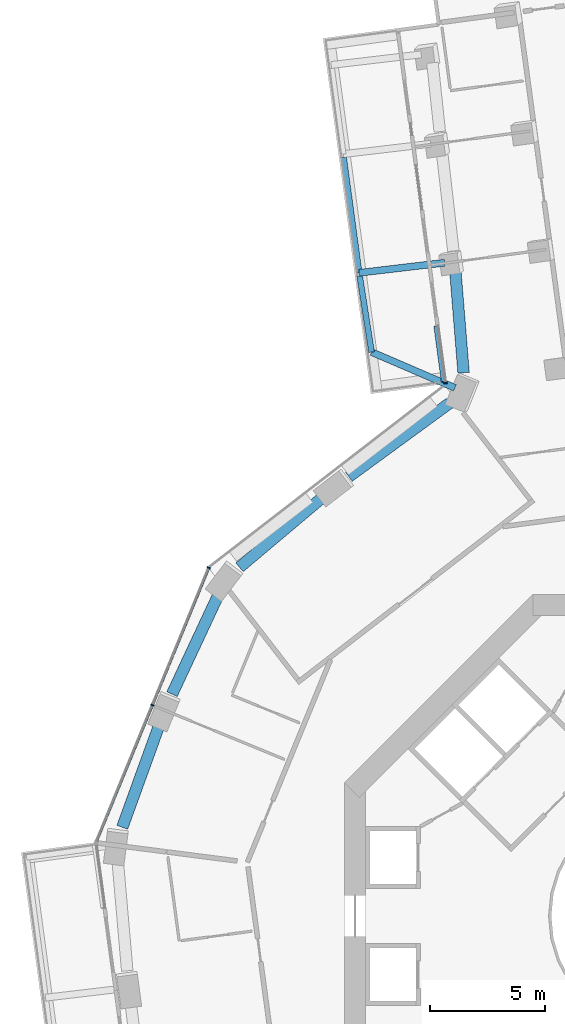
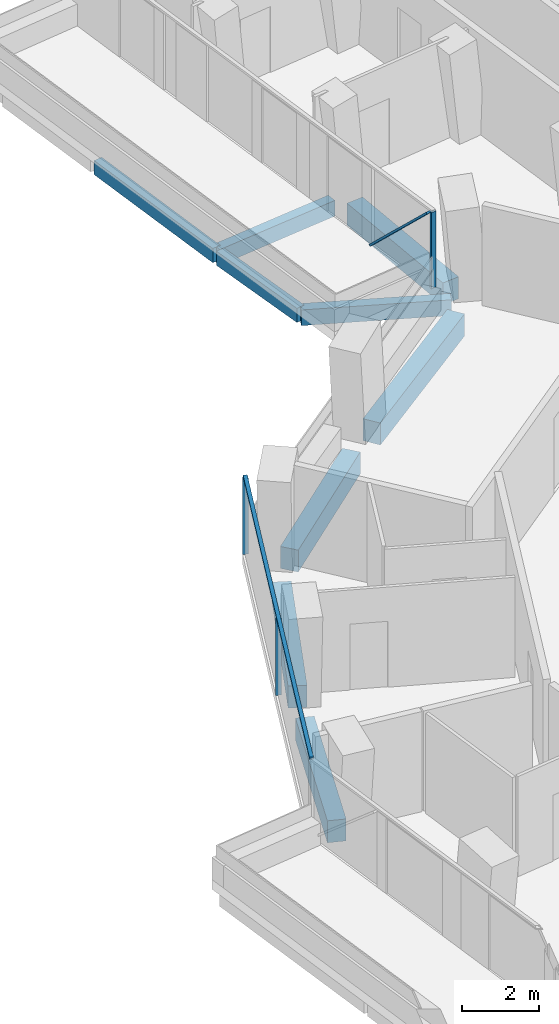
# One storey, part 7 of 27: 9 beams, 5 members, 2 elements without a shape of their own.
"""IFC4 building model written with IfcOpenShell, lengths in metres."""

import ifcopenshell
import ifcopenshell.guid

model = None  # the IFC model being written
_history = None  # IfcOwnerHistory: only IFC2X3 demands one
_inside = {}  # id of a spatial element -> (the spatial element, [elements in it])
_under = {}  # id of a project, library or spatial element -> (it, [spatial elements below it])
_declared = {}  # id of a project -> (the project, [libraries it declares])
_typed = {}  # id of a type object -> (the type object, [elements of that type])
_made_of = {}  # id of a material, layer set ... -> (it, [elements and type objects made of it])


def new_model(schema):
    """Start an empty IFC model of exactly this schema.

    Asked for "IFC4X3", IfcOpenShell would pick the latest addendum, in which some entities
    have other attributes; the version numbers below select the first issue.
    IFC2X3 requires an IfcOwnerHistory on every rooted entity: one is made here for all.
    """
    global model, _history
    if schema == "IFC4X3":
        model = ifcopenshell.file(schema_version=(4, 3, 0, 0))
    else:
        model = ifcopenshell.file(schema=schema)
    _inside.clear()
    _under.clear()
    _declared.clear()
    _typed.clear()
    _made_of.clear()
    _history = None
    if model.schema == "IFC2X3":
        org = make("IfcOrganization", Name="unknown")
        user = make(
            "IfcPersonAndOrganization",
            ThePerson=make("IfcPerson", FamilyName="unknown"),
            TheOrganization=org,
        )
        app = make(
            "IfcApplication",
            ApplicationDeveloper=org,
            Version="unknown",
            ApplicationFullName="unknown",
            ApplicationIdentifier="unknown",
        )
        _history = make(
            "IfcOwnerHistory",
            OwningUser=user,
            OwningApplication=app,
            ChangeAction="ADDED",
            CreationDate=0,
        )
    return model


def make(cls, **values):
    """One entity of the class cls with the attributes given. An attribute that is None is left unset."""
    return model.create_entity(
        cls, **{name: value for name, value in values.items() if value is not None}
    )


def rooted(cls, **values):
    """An entity with a GlobalId (a new one), such as an element, a storey or a relation."""
    return make(cls, GlobalId=ifcopenshell.guid.new(), OwnerHistory=_history, **values)


def si_unit(unit_type, name, prefix=None):
    """IfcSIUnit, for example si_unit("LENGTHUNIT", "METRE", prefix="MILLI")."""
    return make("IfcSIUnit", UnitType=unit_type, Prefix=prefix, Name=name)


def assignment(units):
    """IfcUnitAssignment: the units of a project."""
    return None if units is None else make("IfcUnitAssignment", Units=units)


def point(xyz):
    """IfcCartesianPoint."""
    return None if xyz is None else make("IfcCartesianPoint", Coordinates=xyz)


def direction(xyz):
    """IfcDirection."""
    return None if xyz is None else make("IfcDirection", DirectionRatios=xyz)


def frame(location, z_axis=None, x_axis=None):
    """IfcAxis2Placement3D, a coordinate frame: its origin and axes. An axis left out is left unset."""
    return make(
        "IfcAxis2Placement3D",
        Location=point(location),
        Axis=direction(z_axis),
        RefDirection=direction(x_axis),
    )


def frame_2d(location, x_axis=None):
    """IfcAxis2Placement2D, a coordinate frame in the plane: its origin and x axis."""
    return make(
        "IfcAxis2Placement2D", Location=point(location), RefDirection=direction(x_axis)
    )


def origin():
    """The frame at (0, 0, 0) with its axes left unset."""
    return frame((0.0, 0.0, 0.0))


def origin_2d():
    """The frame at (0, 0) in the plane with its x axis left unset."""
    return frame_2d((0.0, 0.0))


def place(relative_to, where):
    """IfcLocalPlacement: puts the frame where relative to a parent placement (None: the world)."""
    return make(
        "IfcLocalPlacement", PlacementRelTo=relative_to, RelativePlacement=where
    )


def context(
    kind, dimensions, precision=None, world=None, true_north=None, identifier=None
):
    """IfcGeometricRepresentationContext, for example the 3D "Model" context."""
    return make(
        "IfcGeometricRepresentationContext",
        ContextIdentifier=identifier,
        ContextType=kind,
        CoordinateSpaceDimension=dimensions,
        Precision=precision,
        WorldCoordinateSystem=world,
        TrueNorth=true_north,
    )


def subcontext(parent, identifier, kind, view, scale=None):
    """IfcGeometricRepresentationSubContext, for example "Body" below "Model"."""
    return make(
        "IfcGeometricRepresentationSubContext",
        ContextIdentifier=identifier,
        ContextType=kind,
        ParentContext=parent,
        TargetScale=scale,
        TargetView=view,
    )


def project(units=None, contexts=None):
    """IfcProject with its units and contexts."""
    return rooted(
        "IfcProject",
        Name="project",
        RepresentationContexts=contexts,
        UnitsInContext=assignment(units),
    )


def spatial(cls, under=None, at=None, **own):
    """A site, building, storey or space (cls), placed at a placement, below another one or the project."""
    s = rooted(cls, ObjectPlacement=at, **own)
    if under is not None:
        _under.setdefault(under.id(), (under, []))[1].append(s)
    return s


def profile(cls, at=None, kind="AREA", **sizes):
    """A parametric profile (cls). Its sizes go by their IFC names, for example OverallWidth=200.0."""
    return make(cls, ProfileType=kind, Position=at, **sizes)


def rectangle(**sizes):
    """IfcRectangleProfileDef."""
    return profile("IfcRectangleProfileDef", **sizes)


def extrude(swept, where, along, depth):
    """IfcExtrudedAreaSolid: the profile swept, set in the frame where, extruded along a direction by depth."""
    return make(
        "IfcExtrudedAreaSolid",
        SweptArea=swept,
        Position=where,
        ExtrudedDirection=direction(along),
        Depth=depth,
    )


def shape(context_of_items, identifier, shape_type, items):
    """IfcShapeRepresentation: the items that make up one representation, for example the "Body"."""
    return make(
        "IfcShapeRepresentation",
        ContextOfItems=context_of_items,
        RepresentationIdentifier=identifier,
        RepresentationType=shape_type,
        Items=items,
    )


def material(Name=None, Category=None):
    """IfcMaterial."""
    return make("IfcMaterial", Name=Name, Category=Category)


def layer(
    of_material, thickness, ventilated=None, Name=None, Category=None, Priority=None
):
    """IfcMaterialLayer: one layer of a wall or slab, of a material (None: an air gap)."""
    return make(
        "IfcMaterialLayer",
        Material=of_material,
        LayerThickness=thickness,
        IsVentilated=ventilated,
        Name=Name,
        Category=Category,
        Priority=Priority,
    )


def layer_set(layers, Name=None):
    """IfcMaterialLayerSet."""
    return make("IfcMaterialLayerSet", MaterialLayers=layers, LayerSetName=Name)


def material_profile(
    of_material, cross_section, Name=None, Category=None, Priority=None
):
    """IfcMaterialProfile: a cross section and its material."""
    return make(
        "IfcMaterialProfile",
        Name=Name,
        Material=of_material,
        Profile=cross_section,
        Priority=Priority,
        Category=Category,
    )


def profile_set(profiles, Name=None, composite=None):
    """IfcMaterialProfileSet."""
    return make(
        "IfcMaterialProfileSet",
        Name=Name,
        MaterialProfiles=profiles,
        CompositeProfile=composite,
    )


def made_of(thing, what):
    """Note that an element or type object is made of a material, layer set ...; save() writes the relation."""
    if what is not None:
        _made_of.setdefault(what.id(), (what, []))[1].append(thing)
    return thing


def type_object(cls, material=None, **own):
    """A type object (cls), such as IfcWallType, which elements share."""
    return made_of(rooted(cls, **own), material)


def element(
    cls,
    number,
    at=None,
    inside=None,
    cuts=None,
    type_object=None,
    material=None,
    context=None,
    identifier="Body",
    shape_type=None,
    held_by="IfcProductDefinitionShape",
    body=None,
    shapes=None,
    **own,
):
    """One element of the class cls, such as IfcWall. Its Tag is "e" and its number.

    at: its placement. inside: the storey or other place that contains it. cuts: it is an
    opening in that element (IfcRelVoidsElement). A single representation is given by context,
    identifier, shape_type and body (its items); several are given by shapes. held_by: the class
    of the entity that holds the representations. save() writes the other relations.
    """
    e = rooted(cls, Tag="e%d" % number, ObjectPlacement=at, **own)
    if body is not None:
        shapes = [shape(context, identifier, shape_type, body)]
    if shapes is not None:
        e.Representation = make(held_by, Representations=shapes)
    if inside is not None:
        _inside.setdefault(inside.id(), (inside, []))[1].append(e)
    if cuts is not None:
        rooted(
            "IfcRelVoidsElement", RelatingBuildingElement=cuts, RelatedOpeningElement=e
        )
    if type_object is not None:
        _typed.setdefault(type_object.id(), (type_object, []))[1].append(e)
    return made_of(e, material)


def aggregate(whole, parts):
    """IfcRelAggregates: a whole, such as a stair, and the parts it consists of."""
    return rooted("IfcRelAggregates", RelatingObject=whole, RelatedObjects=parts)


def save(model, path):
    """Write the relations noted so far, then the file.

    IfcRelAggregates (storeys below a building ...), IfcRelContainedInSpatialStructure (elements
    in a storey), IfcRelDefinesByType, IfcRelAssociatesMaterial and IfcRelDeclares: one each for
    every whole, place, type object, material and project.
    """
    for whole, parts in _under.values():
        aggregate(whole, parts)
    for where, things in _inside.values():
        rooted(
            "IfcRelContainedInSpatialStructure",
            RelatedElements=things,
            RelatingStructure=where,
        )
    for kind, things in _typed.values():
        rooted("IfcRelDefinesByType", RelatedObjects=things, RelatingType=kind)
    for what, things in _made_of.values():
        rooted("IfcRelAssociatesMaterial", RelatedObjects=things, RelatingMaterial=what)
    for by, libraries in _declared.values():
        rooted("IfcRelDeclares", RelatingContext=by, RelatedDefinitions=libraries)
    model.write(path)


model = new_model("IFC4")

# Units and contexts
model_context = context("Model", 3, precision=1e-05, world=origin(), true_north=direction((0.0, 1.0)))
body_context = subcontext(model_context, "Body", "Model", "MODEL_VIEW")
ifc_project = project(units=[si_unit("LENGTHUNIT", "METRE"), si_unit("AREAUNIT", "SQUARE_METRE"), si_unit("VOLUMEUNIT", "CUBIC_METRE"), si_unit("PLANEANGLEUNIT", "RADIAN"), si_unit("MASSUNIT", "GRAM", prefix="KILO")], contexts=[model_context])

# Site, building, storey
site_placement = place(None, origin())
site = spatial("IfcSite", under=ifc_project, at=site_placement, CompositionType="ELEMENT")
building_placement = place(site_placement, origin())
building = spatial("IfcBuilding", under=site, at=building_placement, Name="Verdalira Terraces Hotel", CompositionType="ELEMENT")
storey_placement = place(building_placement, frame((0.0, 0.0, 64.5)))
storey = spatial("IfcBuildingStorey", under=building, at=storey_placement, Name="L14", CompositionType="ELEMENT", Elevation=64.5)

# Beams
ifc_material_1 = material(Name="Concrete C40", Category="concrete")
ifc_material_profile_1 = material_profile(ifc_material_1, rectangle(XDim=0.300049, YDim=0.5, at=origin_2d()), Name="RC 300X500")
ifc_profile_set_1 = profile_set([ifc_material_profile_1], Name="Concrete C40")
beam_type_1 = type_object("IfcBeamType", Name="Balcony cantilever beam RC 300X500 C40", PredefinedType="BEAM", material=ifc_profile_set_1)
beam_1_placement = place(storey_placement, frame((-9.644531, 28.452148, -0.560059), z_axis=(-0.993129674, -0.117019021, 0.0), x_axis=(0.117019021, -0.993129674, 0.0)))
element("IfcBeam", 1, at=beam_1_placement, inside=storey, type_object=beam_type_1, Name="Balcony cantilever beam R10-3", PredefinedType="BEAM", context=body_context, shape_type="SweptSolid", body=[
    extrude(rectangle(XDim=0.300049, YDim=0.5, at=origin_2d()), origin(), (0.0, 0.0, 1.0), 3.744873),
])
beam_2_placement = place(storey_placement, frame((-9.19458, 23.000244, -0.560059), z_axis=(-0.918594254, 0.395201969, 0.0), x_axis=(-0.395201969, -0.918594254, 0.0)))
element("IfcBeam", 2, at=beam_2_placement, inside=storey, type_object=beam_type_1, Name="Balcony cantilever beam R10-4", PredefinedType="BEAM", context=body_context, shape_type="SweptSolid", body=[
    extrude(rectangle(XDim=0.300049, YDim=0.5, at=origin_2d()), origin(), (0.0, 0.0, 1.0), 3.949951),
])
ifc_material_2 = material(Name="Concrete C40", Category="concrete")
ifc_material_profile_2 = material_profile(ifc_material_2, rectangle(XDim=0.25, YDim=0.449951, at=origin_2d()), Name="RC 250X450")
ifc_profile_set_2 = profile_set([ifc_material_profile_2], Name="Concrete C40")
beam_type_2 = type_object("IfcBeamType", Name="Balcony edge beam RC 250X450 C40", PredefinedType="BEAM", material=ifc_profile_set_2)
beam_3_placement = place(storey_placement, frame((-14.040771, 33.034912, -0.534912), z_axis=(0.133624995, -0.991031968, 0.0), x_axis=(0.991031968, 0.133624995, 0.0)))
element("IfcBeam", 3, at=beam_3_placement, inside=storey, type_object=beam_type_2, Name="Balcony edge beam R10-2", PredefinedType="BEAM", context=body_context, shape_type="SweptSolid", body=[
    extrude(rectangle(XDim=0.25, YDim=0.449951, at=origin_2d()), origin(), (0.0, 0.0, 1.0), 5.066406),
])
beam_4_placement = place(storey_placement, frame((-13.340576, 27.865723, -0.534912), z_axis=(0.154744268, -0.987954559, 0.0), x_axis=(0.987954559, 0.154744268, 0.0)))
element("IfcBeam", 4, at=beam_4_placement, inside=storey, type_object=beam_type_2, Name="Balcony edge beam R10-3", PredefinedType="BEAM", context=body_context, shape_type="SweptSolid", body=[
    extrude(rectangle(XDim=0.25, YDim=0.449951, at=origin_2d()), origin(), (0.0, 0.0, 1.0), 3.344727),
])

# Curtain wall, members
ifc_material_3 = material(Name="Clear glass", Category="glass")
ifc_layer_1 = layer(ifc_material_3, 0.14990234375)
ifc_layer_set_1 = layer_set([ifc_layer_1], Name="CW1 curtain wall")
curtain_wall_type_1 = type_object("IfcCurtainWallType", Name="CW1 curtain wall", PredefinedType="NOTDEFINED", material=ifc_layer_set_1)
curtain_wall_1_placement = place(storey_placement, origin())
curtain_wall_1 = element("IfcCurtainWall", 5, at=curtain_wall_1_placement, inside=storey, type_object=curtain_wall_type_1, Name="CW1 curtain wall L14 edge 12", PredefinedType="NOTDEFINED")
ifc_material_4 = material(Name="Terracotta frame", Category="masonry")
ifc_material_profile_3 = material_profile(ifc_material_4, rectangle(XDim=0.060059, YDim=0.149902, at=origin_2d()), Name="MU 60x150")
ifc_profile_set_3 = profile_set([ifc_material_profile_3], Name="Terracotta frame")
member_type_1 = type_object("IfcMemberType", Name="CW1 mullion 60x150", PredefinedType="MULLION", material=ifc_profile_set_3)
member_1_placement = place(storey_placement, frame((-19.914307, 15.169678, 0.0), z_axis=(0.0, 0.0, 1.0), x_axis=(-0.379779096, -0.925077207, 0.0)))
member_1 = element("IfcMember", 6, at=member_1_placement, type_object=member_type_1, Name="CW1 mullion", PredefinedType="MULLION", context=body_context, shape_type="SweptSolid", body=[
    extrude(rectangle(XDim=0.060059, YDim=0.149902, at=origin_2d()), origin(), (0.0, 0.0, 1.0), 2.425049),
])
member_2_placement = place(storey_placement, frame((-22.371338, 9.184326, 0.0), z_axis=(0.0, 0.0, 1.0), x_axis=(-0.379779096, -0.925077207, 0.0)))
member_2 = element("IfcMember", 7, at=member_2_placement, type_object=member_type_1, Name="CW1 mullion", PredefinedType="MULLION", context=body_context, shape_type="SweptSolid", body=[
    extrude(rectangle(XDim=0.060059, YDim=0.149902, at=origin_2d()), origin(), (0.0, 0.0, 1.0), 2.425049),
])
ifc_material_5 = material(Name="Terracotta frame", Category="masonry")
ifc_material_profile_4 = material_profile(ifc_material_5, rectangle(XDim=0.110107, YDim=0.064941, at=origin_2d()), Name="TR 65x110")
ifc_profile_set_4 = profile_set([ifc_material_profile_4], Name="Terracotta frame")
member_type_2 = type_object("IfcMemberType", Name="CW1 transom 65x110", PredefinedType="USERDEFINED", material=ifc_profile_set_4)
member_3_placement = place(storey_placement, frame((-19.902832, 15.197266, 2.45752), z_axis=(-0.37978126, -0.925076318, 0.0), x_axis=(0.925076318, -0.37978126, 0.0)))
member_3 = element("IfcMember", 8, at=member_3_placement, type_object=member_type_2, Name="CW1 transom", ObjectType="TRANSOM", PredefinedType="USERDEFINED", context=body_context, shape_type="SweptSolid", body=[
    extrude(rectangle(XDim=0.110107, YDim=0.064941, at=origin_2d()), origin(), (0.0, 0.0, 1.0), 12.959717),
])
aggregate(curtain_wall_1, [member_1, member_2, member_3])

ifc_material_6 = material(Name="Clear glass", Category="glass")
ifc_layer_2 = layer(ifc_material_6, 0.14990234375)
ifc_layer_set_2 = layer_set([ifc_layer_2], Name="CW2 curtain wall")
curtain_wall_type_2 = type_object("IfcCurtainWallType", Name="CW2 curtain wall", PredefinedType="NOTDEFINED", material=ifc_layer_set_2)
curtain_wall_2_placement = place(storey_placement, origin())
curtain_wall_2 = element("IfcCurtainWall", 9, at=curtain_wall_2_placement, inside=storey, type_object=curtain_wall_type_2, Name="CW2 curtain wall L14 edge 10", PredefinedType="NOTDEFINED")
ifc_material_7 = material(Name="Terracotta frame", Category="masonry")
ifc_material_profile_5 = material_profile(ifc_material_7, rectangle(XDim=0.070068, YDim=0.149902, at=origin_2d()), Name="MU 70x150")
ifc_profile_set_5 = profile_set([ifc_material_profile_5], Name="Terracotta frame")
member_type_3 = type_object("IfcMemberType", Name="CW2 mullion 70x150", PredefinedType="MULLION", material=ifc_profile_set_5)
member_4_placement = place(storey_placement, frame((-9.614014, 23.216797, 0.0), z_axis=(0.0, 0.0, 1.0), x_axis=(0.133640259, -0.991029909, 0.0)))
member_4 = element("IfcMember", 10, at=member_4_placement, type_object=member_type_3, Name="CW2 mullion", PredefinedType="MULLION", context=body_context, shape_type="SweptSolid", body=[
    extrude(rectangle(XDim=0.070068, YDim=0.149902, at=origin_2d()), origin(), (0.0, 0.0, 1.0), 2.425049),
])
ifc_material_8 = material(Name="Terracotta frame", Category="masonry")
ifc_material_profile_6 = material_profile(ifc_material_8, rectangle(XDim=0.149902, YDim=0.060059, at=origin_2d()), Name="GB 60x150")
ifc_profile_set_6 = profile_set([ifc_material_profile_6], Name="Terracotta frame")
member_type_4 = type_object("IfcMemberType", Name="Diagonal glazing bar 60x150", PredefinedType="USERDEFINED", material=ifc_profile_set_6)
member_5_placement = place(storey_placement, frame((-10.037598, 25.678223, 0.022949), z_axis=(0.095614195, -0.709222232, 0.69847101), x_axis=(0.991034412, 0.133606863, 0.0)))
member_5 = element("IfcMember", 11, at=member_5_placement, type_object=member_type_4, Name="Diagonal glazing bar", ObjectType="GLAZING BAR", PredefinedType="USERDEFINED", context=body_context, shape_type="SweptSolid", body=[
    extrude(rectangle(XDim=0.149902, YDim=0.060059, at=origin_2d()), origin(), (0.0, 0.0, 1.0), 3.40625),
])
aggregate(curtain_wall_2, [member_4, member_5])

# Beams
ifc_material_9 = material(Name="Concrete C70", Category="concrete")
ifc_material_profile_7 = material_profile(ifc_material_9, rectangle(XDim=0.5, YDim=0.699951, at=origin_2d()), Name="RC 500X700")
ifc_profile_set_7 = profile_set([ifc_material_profile_7], Name="Concrete C70")
beam_type_3 = type_object("IfcBeamType", Name="Spandrel beam RC 500X700 C70", PredefinedType="SPANDREL", material=ifc_profile_set_7)
beam_5_placement = place(storey_placement, frame((-9.173828, 28.056885, -0.659912), z_axis=(0.080585521, -0.996747698, 0.0), x_axis=(0.996747698, 0.080585521, 0.0)))
element("IfcBeam", 12, at=beam_5_placement, inside=storey, type_object=beam_type_3, Name="Spandrel beam B07", PredefinedType="SPANDREL", context=body_context, shape_type="SweptSolid", body=[
    extrude(rectangle(XDim=0.5, YDim=0.699951, at=origin_2d()), origin(), (0.0, 0.0, 1.0), 4.411133),
])
beam_6_placement = place(storey_placement, frame((-9.423096, 22.343262, -0.659912), z_axis=(-0.80752515, -0.589833139, 0.0), x_axis=(0.589833139, -0.80752515, 0.0)))
element("IfcBeam", 13, at=beam_6_placement, inside=storey, type_object=beam_type_3, Name="Spandrel beam B08", PredefinedType="SPANDREL", context=body_context, shape_type="SweptSolid", body=[
    extrude(rectangle(XDim=0.5, YDim=0.699951, at=origin_2d()), origin(), (0.0, 0.0, 1.0), 5.439209),
])
beam_7_placement = place(storey_placement, frame((-14.939209, 18.252197, -0.659912), z_axis=(-0.764877913, -0.64417527, 0.0), x_axis=(0.64417527, -0.764877913, 0.0)))
element("IfcBeam", 14, at=beam_7_placement, inside=storey, type_object=beam_type_3, Name="Spandrel beam B09", PredefinedType="SPANDREL", context=body_context, shape_type="SweptSolid", body=[
    extrude(rectangle(XDim=0.5, YDim=0.699951, at=origin_2d()), origin(), (0.0, 0.0, 1.0), 4.755371),
])
beam_8_placement = place(storey_placement, frame((-19.502197, 13.978027, -0.659912), z_axis=(-0.423023073, -0.90611891, 0.0), x_axis=(0.90611891, -0.423023073, 0.0)))
element("IfcBeam", 15, at=beam_8_placement, inside=storey, type_object=beam_type_3, Name="Spandrel beam B10", PredefinedType="SPANDREL", context=body_context, shape_type="SweptSolid", body=[
    extrude(rectangle(XDim=0.5, YDim=0.699951, at=origin_2d()), origin(), (0.0, 0.0, 1.0), 4.759033),
])
beam_9_placement = place(storey_placement, frame((-22.063965, 8.337402, -0.659912), z_axis=(-0.340291602, -0.940319959, 0.0), x_axis=(0.940319959, -0.340291602, 0.0)))
element("IfcBeam", 16, at=beam_9_placement, inside=storey, type_object=beam_type_3, Name="Spandrel beam B11", PredefinedType="SPANDREL", context=body_context, shape_type="SweptSolid", body=[
    extrude(rectangle(XDim=0.5, YDim=0.699951, at=origin_2d()), origin(), (0.0, 0.0, 1.0), 4.755127),
])

save(model, "model.ifc")
